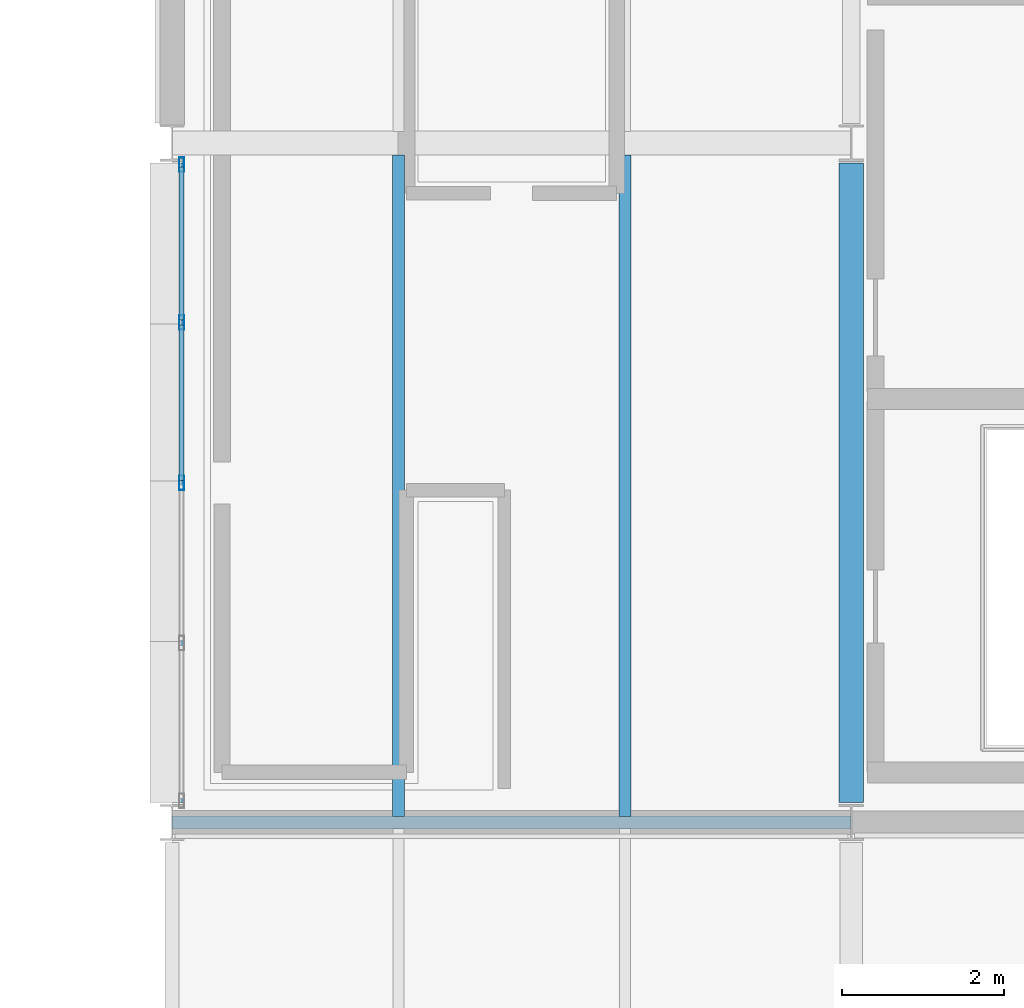
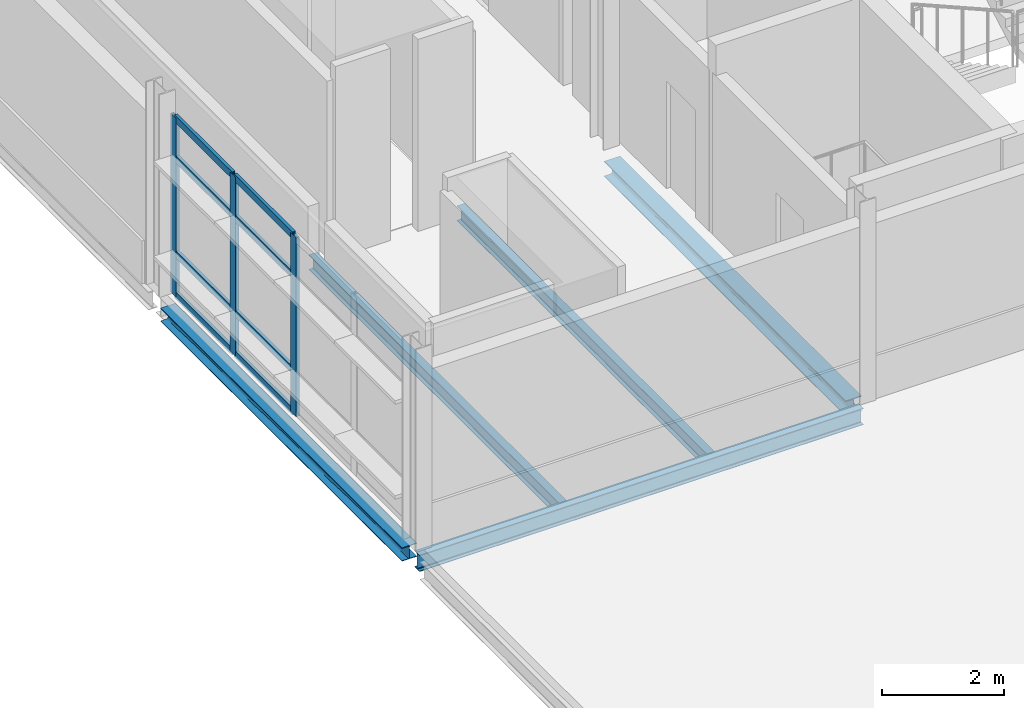
# One storey, part 91 of 151: 11 members, 5 beams, 1 element without a shape of its own.
"""IFC4 building model written with IfcOpenShell, lengths in metres."""

import ifcopenshell
import ifcopenshell.guid

model = None  # the IFC model being written
_history = None  # IfcOwnerHistory: only IFC2X3 demands one
_inside = {}  # id of a spatial element -> (the spatial element, [elements in it])
_under = {}  # id of a project, library or spatial element -> (it, [spatial elements below it])
_declared = {}  # id of a project -> (the project, [libraries it declares])
_typed = {}  # id of a type object -> (the type object, [elements of that type])
_made_of = {}  # id of a material, layer set ... -> (it, [elements and type objects made of it])


def new_model(schema):
    """Start an empty IFC model of exactly this schema.

    Asked for "IFC4X3", IfcOpenShell would pick the latest addendum, in which some entities
    have other attributes; the version numbers below select the first issue.
    IFC2X3 requires an IfcOwnerHistory on every rooted entity: one is made here for all.
    """
    global model, _history
    if schema == "IFC4X3":
        model = ifcopenshell.file(schema_version=(4, 3, 0, 0))
    else:
        model = ifcopenshell.file(schema=schema)
    _inside.clear()
    _under.clear()
    _declared.clear()
    _typed.clear()
    _made_of.clear()
    _history = None
    if model.schema == "IFC2X3":
        org = make("IfcOrganization", Name="unknown")
        user = make(
            "IfcPersonAndOrganization",
            ThePerson=make("IfcPerson", FamilyName="unknown"),
            TheOrganization=org,
        )
        app = make(
            "IfcApplication",
            ApplicationDeveloper=org,
            Version="unknown",
            ApplicationFullName="unknown",
            ApplicationIdentifier="unknown",
        )
        _history = make(
            "IfcOwnerHistory",
            OwningUser=user,
            OwningApplication=app,
            ChangeAction="ADDED",
            CreationDate=0,
        )
    return model


def make(cls, **values):
    """One entity of the class cls with the attributes given. An attribute that is None is left unset."""
    return model.create_entity(
        cls, **{name: value for name, value in values.items() if value is not None}
    )


def rooted(cls, **values):
    """An entity with a GlobalId (a new one), such as an element, a storey or a relation."""
    return make(cls, GlobalId=ifcopenshell.guid.new(), OwnerHistory=_history, **values)


def si_unit(unit_type, name, prefix=None):
    """IfcSIUnit, for example si_unit("LENGTHUNIT", "METRE", prefix="MILLI")."""
    return make("IfcSIUnit", UnitType=unit_type, Prefix=prefix, Name=name)


def assignment(units):
    """IfcUnitAssignment: the units of a project."""
    return None if units is None else make("IfcUnitAssignment", Units=units)


def point(xyz):
    """IfcCartesianPoint."""
    return None if xyz is None else make("IfcCartesianPoint", Coordinates=xyz)


def direction(xyz):
    """IfcDirection."""
    return None if xyz is None else make("IfcDirection", DirectionRatios=xyz)


def frame(location, z_axis=None, x_axis=None):
    """IfcAxis2Placement3D, a coordinate frame: its origin and axes. An axis left out is left unset."""
    return make(
        "IfcAxis2Placement3D",
        Location=point(location),
        Axis=direction(z_axis),
        RefDirection=direction(x_axis),
    )


def frame_2d(location, x_axis=None):
    """IfcAxis2Placement2D, a coordinate frame in the plane: its origin and x axis."""
    return make(
        "IfcAxis2Placement2D", Location=point(location), RefDirection=direction(x_axis)
    )


def origin():
    """The frame at (0, 0, 0) with its axes left unset."""
    return frame((0.0, 0.0, 0.0))


def origin_2d():
    """The frame at (0, 0) in the plane with its x axis left unset."""
    return frame_2d((0.0, 0.0))


def place(relative_to, where):
    """IfcLocalPlacement: puts the frame where relative to a parent placement (None: the world)."""
    return make(
        "IfcLocalPlacement", PlacementRelTo=relative_to, RelativePlacement=where
    )


def context(
    kind, dimensions, precision=None, world=None, true_north=None, identifier=None
):
    """IfcGeometricRepresentationContext, for example the 3D "Model" context."""
    return make(
        "IfcGeometricRepresentationContext",
        ContextIdentifier=identifier,
        ContextType=kind,
        CoordinateSpaceDimension=dimensions,
        Precision=precision,
        WorldCoordinateSystem=world,
        TrueNorth=true_north,
    )


def subcontext(parent, identifier, kind, view, scale=None):
    """IfcGeometricRepresentationSubContext, for example "Body" below "Model"."""
    return make(
        "IfcGeometricRepresentationSubContext",
        ContextIdentifier=identifier,
        ContextType=kind,
        ParentContext=parent,
        TargetScale=scale,
        TargetView=view,
    )


def project(units=None, contexts=None):
    """IfcProject with its units and contexts."""
    return rooted(
        "IfcProject",
        Name="project",
        RepresentationContexts=contexts,
        UnitsInContext=assignment(units),
    )


def spatial(cls, under=None, at=None, **own):
    """A site, building, storey or space (cls), placed at a placement, below another one or the project."""
    s = rooted(cls, ObjectPlacement=at, **own)
    if under is not None:
        _under.setdefault(under.id(), (under, []))[1].append(s)
    return s


def profile(cls, at=None, kind="AREA", **sizes):
    """A parametric profile (cls). Its sizes go by their IFC names, for example OverallWidth=200.0."""
    return make(cls, ProfileType=kind, Position=at, **sizes)


def hollow_rectangle(**sizes):
    """IfcRectangleHollowProfileDef."""
    return profile("IfcRectangleHollowProfileDef", **sizes)


def i_section(**sizes):
    """IfcIShapeProfileDef."""
    return profile("IfcIShapeProfileDef", **sizes)


def extrude(swept, where, along, depth):
    """IfcExtrudedAreaSolid: the profile swept, set in the frame where, extruded along a direction by depth."""
    return make(
        "IfcExtrudedAreaSolid",
        SweptArea=swept,
        Position=where,
        ExtrudedDirection=direction(along),
        Depth=depth,
    )


def shape(context_of_items, identifier, shape_type, items):
    """IfcShapeRepresentation: the items that make up one representation, for example the "Body"."""
    return make(
        "IfcShapeRepresentation",
        ContextOfItems=context_of_items,
        RepresentationIdentifier=identifier,
        RepresentationType=shape_type,
        Items=items,
    )


def material(Name=None, Category=None):
    """IfcMaterial."""
    return make("IfcMaterial", Name=Name, Category=Category)


def material_profile(
    of_material, cross_section, Name=None, Category=None, Priority=None
):
    """IfcMaterialProfile: a cross section and its material."""
    return make(
        "IfcMaterialProfile",
        Name=Name,
        Material=of_material,
        Profile=cross_section,
        Priority=Priority,
        Category=Category,
    )


def profile_set(profiles, Name=None, composite=None):
    """IfcMaterialProfileSet."""
    return make(
        "IfcMaterialProfileSet",
        Name=Name,
        MaterialProfiles=profiles,
        CompositeProfile=composite,
    )


def made_of(thing, what):
    """Note that an element or type object is made of a material, layer set ...; save() writes the relation."""
    if what is not None:
        _made_of.setdefault(what.id(), (what, []))[1].append(thing)
    return thing


def type_object(cls, material=None, **own):
    """A type object (cls), such as IfcWallType, which elements share."""
    return made_of(rooted(cls, **own), material)


def element(
    cls,
    number,
    at=None,
    inside=None,
    cuts=None,
    type_object=None,
    material=None,
    context=None,
    identifier="Body",
    shape_type=None,
    held_by="IfcProductDefinitionShape",
    body=None,
    shapes=None,
    **own,
):
    """One element of the class cls, such as IfcWall. Its Tag is "e" and its number.

    at: its placement. inside: the storey or other place that contains it. cuts: it is an
    opening in that element (IfcRelVoidsElement). A single representation is given by context,
    identifier, shape_type and body (its items); several are given by shapes. held_by: the class
    of the entity that holds the representations. save() writes the other relations.
    """
    e = rooted(cls, Tag="e%d" % number, ObjectPlacement=at, **own)
    if body is not None:
        shapes = [shape(context, identifier, shape_type, body)]
    if shapes is not None:
        e.Representation = make(held_by, Representations=shapes)
    if inside is not None:
        _inside.setdefault(inside.id(), (inside, []))[1].append(e)
    if cuts is not None:
        rooted(
            "IfcRelVoidsElement", RelatingBuildingElement=cuts, RelatedOpeningElement=e
        )
    if type_object is not None:
        _typed.setdefault(type_object.id(), (type_object, []))[1].append(e)
    return made_of(e, material)


def aggregate(whole, parts):
    """IfcRelAggregates: a whole, such as a stair, and the parts it consists of."""
    return rooted("IfcRelAggregates", RelatingObject=whole, RelatedObjects=parts)


def save(model, path):
    """Write the relations noted so far, then the file.

    IfcRelAggregates (storeys below a building ...), IfcRelContainedInSpatialStructure (elements
    in a storey), IfcRelDefinesByType, IfcRelAssociatesMaterial and IfcRelDeclares: one each for
    every whole, place, type object, material and project.
    """
    for whole, parts in _under.values():
        aggregate(whole, parts)
    for where, things in _inside.values():
        rooted(
            "IfcRelContainedInSpatialStructure",
            RelatedElements=things,
            RelatingStructure=where,
        )
    for kind, things in _typed.values():
        rooted("IfcRelDefinesByType", RelatedObjects=things, RelatingType=kind)
    for what, things in _made_of.values():
        rooted("IfcRelAssociatesMaterial", RelatedObjects=things, RelatingMaterial=what)
    for by, libraries in _declared.values():
        rooted("IfcRelDeclares", RelatingContext=by, RelatedDefinitions=libraries)
    model.write(path)


model = new_model("IFC4")

# Units and contexts
model_context = context("Model", 3, precision=1e-05, world=origin(), true_north=direction((0.0, 1.0)))
body_context = subcontext(model_context, "Body", "Model", "MODEL_VIEW")
ifc_project = project(units=[si_unit("LENGTHUNIT", "METRE"), si_unit("AREAUNIT", "SQUARE_METRE"), si_unit("VOLUMEUNIT", "CUBIC_METRE"), si_unit("PLANEANGLEUNIT", "RADIAN"), si_unit("MASSUNIT", "GRAM", prefix="KILO")], contexts=[model_context])

# Site, building, storey
site_placement = place(None, origin())
site = spatial("IfcSite", under=ifc_project, at=site_placement, CompositionType="ELEMENT")
building_placement = place(site_placement, origin())
building = spatial("IfcBuilding", under=site, at=building_placement, Name="Mersafa Astral City Hall", CompositionType="ELEMENT")
storey_placement = place(building_placement, frame((0.0, 0.0, 9.89990234375)))
storey = spatial("IfcBuildingStorey", under=building, at=storey_placement, Name="L02", CompositionType="ELEMENT", Elevation=9.89990234375)

# Curtain wall, members
ifc_material_1 = material(Name="Anodised bronze aluminium framing", Category="aluminium")
curtain_wall_type = type_object("IfcCurtainWallType", Name="ENV-CW-4", PredefinedType="USERDEFINED", material=ifc_material_1)
curtain_wall_placement = place(storey_placement, origin())
curtain_wall = element("IfcCurtainWall", 1, at=curtain_wall_placement, inside=storey, type_object=curtain_wall_type, Name="L02 Unitised solar curtain wall 123", ObjectType="UNITISED CURTAIN WALL", PredefinedType="USERDEFINED")
ifc_material_profile_1 = material_profile(ifc_material_1, hollow_rectangle(XDim=0.06005859375, YDim=0.179931640625, WallThickness=0.00390625, at=origin_2d()), Name="RHS 60x180x4")
ifc_profile_set_1 = profile_set([ifc_material_profile_1], Name="Anodised bronze aluminium framing")
member_type_1 = type_object("IfcMemberType", Name="ENV-CW-MUL-1", PredefinedType="MULLION", material=ifc_profile_set_1)
member_1_placement = place(storey_placement, frame((159.719970703125, 58.532958984375, -0.001953125), z_axis=(0.0, 0.0, 1.0), x_axis=(1.0, 0.0, 0.0)))
member_1 = element("IfcMember", 2, at=member_1_placement, type_object=member_type_1, Name="CW-4 mullion 1", PredefinedType="MULLION", context=body_context, shape_type="SweptSolid", body=[
    extrude(hollow_rectangle(XDim=0.06005859375, YDim=0.179931640625, WallThickness=0.00390625, at=origin_2d()), origin(), (0.0, 0.0, 1.0), 3.5791015625),
])
member_2_placement = place(storey_placement, frame((159.719970703125, 56.58154296875, -0.001953125), z_axis=(0.0, 0.0, 1.0), x_axis=(1.0, 0.0, 0.0)))
member_2 = element("IfcMember", 3, at=member_2_placement, type_object=member_type_1, Name="CW-4 mullion 2", PredefinedType="MULLION", context=body_context, shape_type="SweptSolid", body=[
    extrude(hollow_rectangle(XDim=0.06005859375, YDim=0.179931640625, WallThickness=0.00390625, at=origin_2d()), origin(), (0.0, 0.0, 1.0), 3.5791015625),
])
member_3_placement = place(storey_placement, frame((159.719970703125, 54.60009765625, -0.001953125), z_axis=(0.0, 0.0, 1.0), x_axis=(1.0, 0.0, 0.0)))
member_3 = element("IfcMember", 4, at=member_3_placement, type_object=member_type_1, Name="CW-4 mullion 3", PredefinedType="MULLION", context=body_context, shape_type="SweptSolid", body=[
    extrude(hollow_rectangle(XDim=0.06005859375, YDim=0.179931640625, WallThickness=0.00390625, at=origin_2d()), origin(), (0.0, 0.0, 1.0), 3.5791015625),
])
ifc_material_profile_2 = material_profile(ifc_material_1, hollow_rectangle(XDim=0.06005859375, YDim=0.139892578125, WallThickness=0.00390625, at=origin_2d()), Name="RHS 60x140x4")
ifc_profile_set_2 = profile_set([ifc_material_profile_2], Name="Anodised bronze aluminium framing")
member_type_2 = type_object("IfcMemberType", Name="ENV-CW-TRN-1", PredefinedType="USERDEFINED", material=ifc_profile_set_2)
member_4_placement = place(storey_placement, frame((159.719970703125, 58.5029296875, 0.028076171875), z_axis=(0.0, -1.0, 0.0), x_axis=(1.0, 0.0, 0.0)))
member_4 = element("IfcMember", 5, at=member_4_placement, type_object=member_type_2, Name="CW-4 transom 1.1", ObjectType="TRANSOM", PredefinedType="USERDEFINED", context=body_context, shape_type="SweptSolid", body=[
    extrude(hollow_rectangle(XDim=0.06005859375, YDim=0.139892578125, WallThickness=0.00390625, at=origin_2d()), origin(), (0.0, 0.0, 1.0), 1.891357421875),
])
member_5_placement = place(storey_placement, frame((159.719970703125, 58.5029296875, 0.85009765625), z_axis=(0.0, -1.0, 0.0), x_axis=(1.0, 0.0, 0.0)))
member_5 = element("IfcMember", 6, at=member_5_placement, type_object=member_type_2, Name="CW-4 transom 1.2", ObjectType="TRANSOM", PredefinedType="USERDEFINED", context=body_context, shape_type="SweptSolid", body=[
    extrude(hollow_rectangle(XDim=0.06005859375, YDim=0.139892578125, WallThickness=0.00390625, at=origin_2d()), origin(), (0.0, 0.0, 1.0), 1.891357421875),
])
member_6_placement = place(storey_placement, frame((159.719970703125, 58.5029296875, 2.75), z_axis=(0.0, -1.0, 0.0), x_axis=(1.0, 0.0, 0.0)))
member_6 = element("IfcMember", 7, at=member_6_placement, type_object=member_type_2, Name="CW-4 transom 1.3", ObjectType="TRANSOM", PredefinedType="USERDEFINED", context=body_context, shape_type="SweptSolid", body=[
    extrude(hollow_rectangle(XDim=0.06005859375, YDim=0.139892578125, WallThickness=0.00390625, at=origin_2d()), origin(), (0.0, 0.0, 1.0), 1.891357421875),
])
member_7_placement = place(storey_placement, frame((159.719970703125, 58.5029296875, 3.547119140625), z_axis=(0.0, -1.0, 0.0), x_axis=(1.0, 0.0, 0.0)))
member_7 = element("IfcMember", 8, at=member_7_placement, type_object=member_type_2, Name="CW-4 transom 1.4", ObjectType="TRANSOM", PredefinedType="USERDEFINED", context=body_context, shape_type="SweptSolid", body=[
    extrude(hollow_rectangle(XDim=0.06005859375, YDim=0.139892578125, WallThickness=0.00390625, at=origin_2d()), origin(), (0.0, 0.0, 1.0), 1.891357421875),
])
member_8_placement = place(storey_placement, frame((159.719970703125, 56.551513671875, 0.028076171875), z_axis=(0.0, -1.0, 0.0), x_axis=(1.0, 0.0, 0.0)))
member_8 = element("IfcMember", 9, at=member_8_placement, type_object=member_type_2, Name="CW-4 transom 2.1", ObjectType="TRANSOM", PredefinedType="USERDEFINED", context=body_context, shape_type="SweptSolid", body=[
    extrude(hollow_rectangle(XDim=0.06005859375, YDim=0.139892578125, WallThickness=0.00390625, at=origin_2d()), origin(), (0.0, 0.0, 1.0), 1.921630859375),
])
member_9_placement = place(storey_placement, frame((159.719970703125, 56.551513671875, 0.85009765625), z_axis=(0.0, -1.0, 0.0), x_axis=(1.0, 0.0, 0.0)))
member_9 = element("IfcMember", 10, at=member_9_placement, type_object=member_type_2, Name="CW-4 transom 2.2", ObjectType="TRANSOM", PredefinedType="USERDEFINED", context=body_context, shape_type="SweptSolid", body=[
    extrude(hollow_rectangle(XDim=0.06005859375, YDim=0.139892578125, WallThickness=0.00390625, at=origin_2d()), origin(), (0.0, 0.0, 1.0), 1.921630859375),
])
member_10_placement = place(storey_placement, frame((159.719970703125, 56.551513671875, 2.75), z_axis=(0.0, -1.0, 0.0), x_axis=(1.0, 0.0, 0.0)))
member_10 = element("IfcMember", 11, at=member_10_placement, type_object=member_type_2, Name="CW-4 transom 2.3", ObjectType="TRANSOM", PredefinedType="USERDEFINED", context=body_context, shape_type="SweptSolid", body=[
    extrude(hollow_rectangle(XDim=0.06005859375, YDim=0.139892578125, WallThickness=0.00390625, at=origin_2d()), origin(), (0.0, 0.0, 1.0), 1.921630859375),
])
member_11_placement = place(storey_placement, frame((159.719970703125, 56.551513671875, 3.547119140625), z_axis=(0.0, -1.0, 0.0), x_axis=(1.0, 0.0, 0.0)))
member_11 = element("IfcMember", 12, at=member_11_placement, type_object=member_type_2, Name="CW-4 transom 2.4", ObjectType="TRANSOM", PredefinedType="USERDEFINED", context=body_context, shape_type="SweptSolid", body=[
    extrude(hollow_rectangle(XDim=0.06005859375, YDim=0.139892578125, WallThickness=0.00390625, at=origin_2d()), origin(), (0.0, 0.0, 1.0), 1.921630859375),
])
aggregate(curtain_wall, [member_1, member_2, member_3, member_4, member_5, member_6, member_7, member_8, member_9, member_10, member_11])

# Beams
ifc_material_2 = material(Name="Steel S355", Category="steel")
ifc_material_profile_3 = material_profile(ifc_material_2, i_section(OverallWidth=0.300048828125, OverallDepth=0.31005859375, WebThickness=0.009033203125, FlangeThickness=0.015380859375, FilletRadius=0.027099609375, at=origin_2d()), Name="HEA 320")
ifc_profile_set_3 = profile_set([ifc_material_profile_3], Name="Steel S355")
beam_type_1 = type_object("IfcBeamType", Name="STR-BM-HEA320", PredefinedType="BEAM", material=ifc_profile_set_3)
beam_1_placement = place(storey_placement, frame((168.0, 50.64501953125, -0.35498046875), z_axis=(0.0, 1.0, 0.0), x_axis=(-1.0, 0.0, 0.0)))
element("IfcBeam", 13, at=beam_1_placement, inside=storey, type_object=beam_type_1, Name="L02 Primary girder Y 20-6", PredefinedType="BEAM", context=body_context, shape_type="SweptSolid", body=[
    extrude(i_section(OverallWidth=0.300048828125, OverallDepth=0.31005859375, WebThickness=0.009033203125, FlangeThickness=0.015380859375, FilletRadius=0.027099609375, at=origin_2d()), origin(), (0.0, 0.0, 1.0), 7.909912109375),
])
ifc_material_profile_4 = material_profile(ifc_material_2, i_section(OverallWidth=0.14990234375, OverallDepth=0.300048828125, WebThickness=0.007080078125, FlangeThickness=0.0107421875, FilletRadius=0.014892578125, at=origin_2d()), Name="IPE 300")
ifc_profile_set_4 = profile_set([ifc_material_profile_4], Name="Steel S355")
beam_type_2 = type_object("IfcBeamType", Name="STR-BM-JOIST-IPE300", PredefinedType="JOIST", material=ifc_profile_set_4)
for number, where, z_axis, x_axis, name in (
    (14, (162.39990234375, 50.47509765625, -0.349853515625), (0.0, 1.0, 0.0), (-1.0, 0.0, 0.0), "L02 Composite secondary floor joist 522"),
    (15, (165.199951171875, 50.47509765625, -0.349853515625), (0.0, 1.0, 0.0), (-1.0, 0.0, 0.0), "L02 Composite secondary floor joist 523"),
):
    element("IfcBeam", number, at=place(storey_placement, frame(where, z_axis=z_axis, x_axis=x_axis)), inside=storey, type_object=beam_type_2, Name=name, PredefinedType="JOIST", context=body_context, shape_type="SweptSolid", body=[
        extrude(i_section(OverallWidth=0.14990234375, OverallDepth=0.300048828125, WebThickness=0.007080078125, FlangeThickness=0.0107421875, FilletRadius=0.014892578125, at=origin_2d()), origin(), (0.0, 0.0, 1.0), 8.179931640625),
    ])
ifc_material_profile_5 = material_profile(ifc_material_2, i_section(OverallWidth=0.280029296875, OverallDepth=0.27001953125, WebThickness=0.008056640625, FlangeThickness=0.012939453125, FilletRadius=0.02392578125, at=origin_2d()), Name="HEA 280")
ifc_profile_set_5 = profile_set([ifc_material_profile_5], Name="Steel S355")
beam_type_3 = type_object("IfcBeamType", Name="STR-BM-SPANDREL-HEA280", PredefinedType="SPANDREL", material=ifc_profile_set_5)
beam_2_placement = place(storey_placement, frame((159.60009765625, 50.64501953125, -0.3349609375), z_axis=(0.0, 1.0, 0.0), x_axis=(-1.0, 0.0, 0.0)))
element("IfcBeam", 16, at=beam_2_placement, inside=storey, type_object=beam_type_3, Name="L02 Primary girder Y 19-6", PredefinedType="SPANDREL", context=body_context, shape_type="SweptSolid", body=[
    extrude(i_section(OverallWidth=0.280029296875, OverallDepth=0.27001953125, WebThickness=0.008056640625, FlangeThickness=0.012939453125, FilletRadius=0.02392578125, at=origin_2d()), origin(), (0.0, 0.0, 1.0), 7.909912109375),
])
ifc_material_profile_6 = material_profile(ifc_material_2, i_section(OverallWidth=0.159912109375, OverallDepth=0.330078125, WebThickness=0.007568359375, FlangeThickness=0.011474609375, FilletRadius=0.01806640625, at=origin_2d()), Name="IPE 330")
ifc_profile_set_6 = profile_set([ifc_material_profile_6], Name="Steel S355")
beam_type_4 = type_object("IfcBeamType", Name="STR-BM-SPANDREL-IPE330", PredefinedType="SPANDREL", material=ifc_profile_set_6)
beam_3_placement = place(storey_placement, frame((159.60302734375, 50.39990234375, -0.364990234375), z_axis=(1.0, 0.0, 0.0), x_axis=(0.0, 1.0, 0.0)))
element("IfcBeam", 17, at=beam_3_placement, inside=storey, type_object=beam_type_4, Name="L02 Primary girder X 19-6", PredefinedType="SPANDREL", context=body_context, shape_type="SweptSolid", body=[
    extrude(i_section(OverallWidth=0.159912109375, OverallDepth=0.330078125, WebThickness=0.007568359375, FlangeThickness=0.011474609375, FilletRadius=0.01806640625, at=origin_2d()), origin(), (0.0, 0.0, 1.0), 8.39404296875),
])

save(model, "model.ifc")
